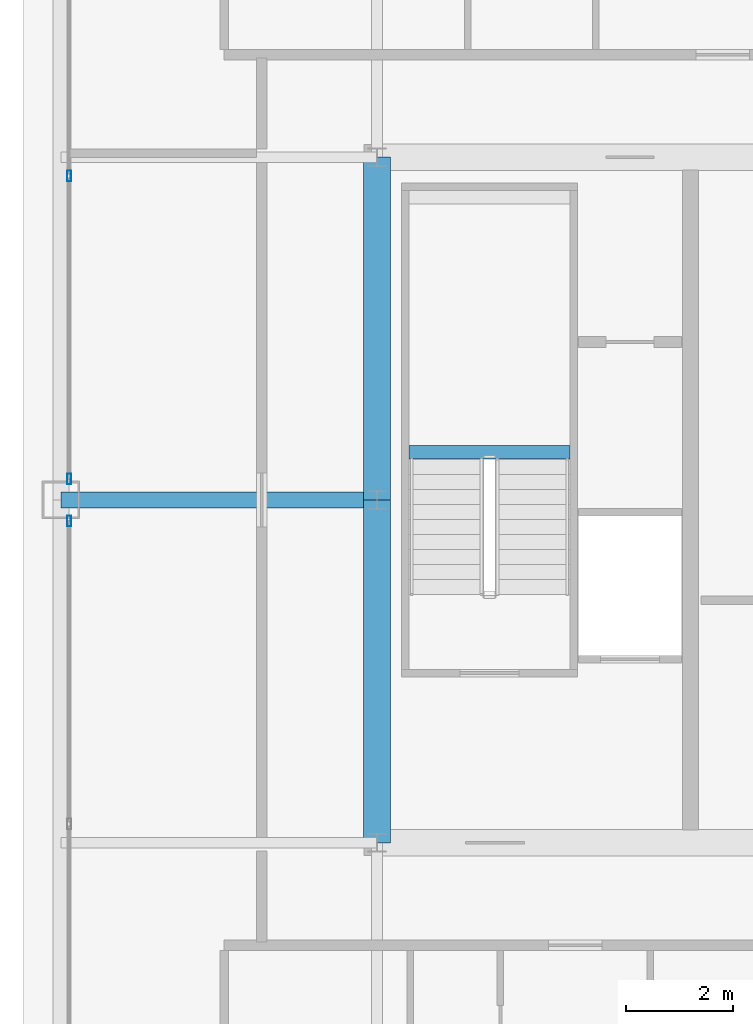
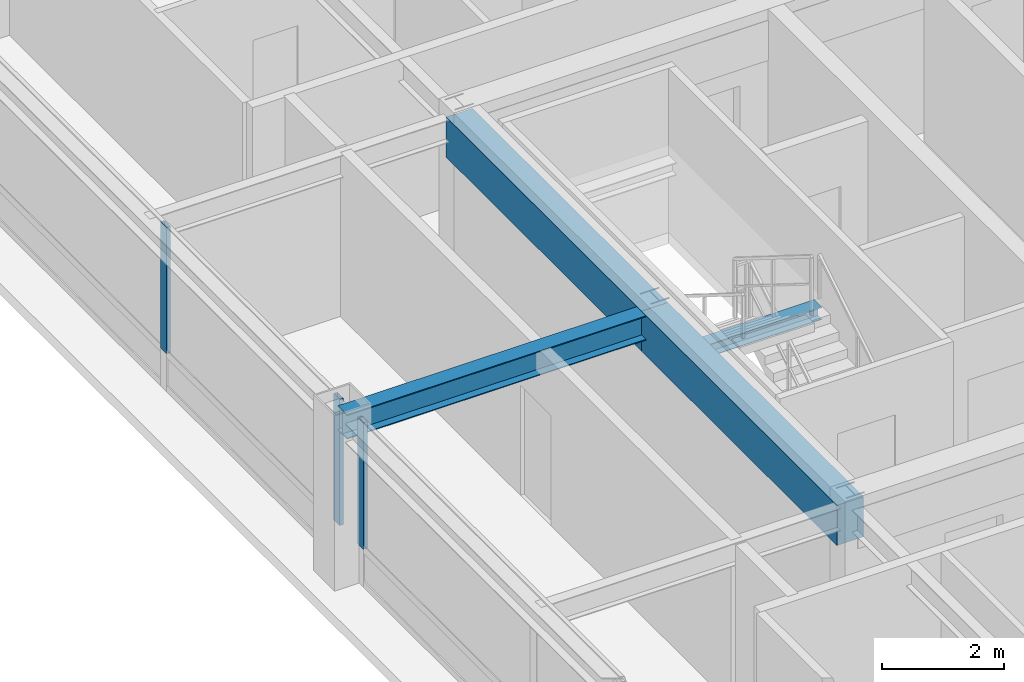
# One storey, part 11 of 35: 4 beams, 3 members, 2 elements without a shape of their own.
"""IFC4 building model written with IfcOpenShell, lengths in metres."""

import ifcopenshell
import ifcopenshell.guid

model = None  # the IFC model being written
_history = None  # IfcOwnerHistory: only IFC2X3 demands one
_inside = {}  # id of a spatial element -> (the spatial element, [elements in it])
_under = {}  # id of a project, library or spatial element -> (it, [spatial elements below it])
_declared = {}  # id of a project -> (the project, [libraries it declares])
_typed = {}  # id of a type object -> (the type object, [elements of that type])
_made_of = {}  # id of a material, layer set ... -> (it, [elements and type objects made of it])


def new_model(schema):
    """Start an empty IFC model of exactly this schema.

    Asked for "IFC4X3", IfcOpenShell would pick the latest addendum, in which some entities
    have other attributes; the version numbers below select the first issue.
    IFC2X3 requires an IfcOwnerHistory on every rooted entity: one is made here for all.
    """
    global model, _history
    if schema == "IFC4X3":
        model = ifcopenshell.file(schema_version=(4, 3, 0, 0))
    else:
        model = ifcopenshell.file(schema=schema)
    _inside.clear()
    _under.clear()
    _declared.clear()
    _typed.clear()
    _made_of.clear()
    _history = None
    if model.schema == "IFC2X3":
        org = make("IfcOrganization", Name="unknown")
        user = make(
            "IfcPersonAndOrganization",
            ThePerson=make("IfcPerson", FamilyName="unknown"),
            TheOrganization=org,
        )
        app = make(
            "IfcApplication",
            ApplicationDeveloper=org,
            Version="unknown",
            ApplicationFullName="unknown",
            ApplicationIdentifier="unknown",
        )
        _history = make(
            "IfcOwnerHistory",
            OwningUser=user,
            OwningApplication=app,
            ChangeAction="ADDED",
            CreationDate=0,
        )
    return model


def make(cls, **values):
    """One entity of the class cls with the attributes given. An attribute that is None is left unset."""
    return model.create_entity(
        cls, **{name: value for name, value in values.items() if value is not None}
    )


def rooted(cls, **values):
    """An entity with a GlobalId (a new one), such as an element, a storey or a relation."""
    return make(cls, GlobalId=ifcopenshell.guid.new(), OwnerHistory=_history, **values)


def si_unit(unit_type, name, prefix=None):
    """IfcSIUnit, for example si_unit("LENGTHUNIT", "METRE", prefix="MILLI")."""
    return make("IfcSIUnit", UnitType=unit_type, Prefix=prefix, Name=name)


def assignment(units):
    """IfcUnitAssignment: the units of a project."""
    return None if units is None else make("IfcUnitAssignment", Units=units)


def point(xyz):
    """IfcCartesianPoint."""
    return None if xyz is None else make("IfcCartesianPoint", Coordinates=xyz)


def direction(xyz):
    """IfcDirection."""
    return None if xyz is None else make("IfcDirection", DirectionRatios=xyz)


def frame(location, z_axis=None, x_axis=None):
    """IfcAxis2Placement3D, a coordinate frame: its origin and axes. An axis left out is left unset."""
    return make(
        "IfcAxis2Placement3D",
        Location=point(location),
        Axis=direction(z_axis),
        RefDirection=direction(x_axis),
    )


def frame_2d(location, x_axis=None):
    """IfcAxis2Placement2D, a coordinate frame in the plane: its origin and x axis."""
    return make(
        "IfcAxis2Placement2D", Location=point(location), RefDirection=direction(x_axis)
    )


def origin():
    """The frame at (0, 0, 0) with its axes left unset."""
    return frame((0.0, 0.0, 0.0))


def origin_2d():
    """The frame at (0, 0) in the plane with its x axis left unset."""
    return frame_2d((0.0, 0.0))


def place(relative_to, where):
    """IfcLocalPlacement: puts the frame where relative to a parent placement (None: the world)."""
    return make(
        "IfcLocalPlacement", PlacementRelTo=relative_to, RelativePlacement=where
    )


def context(
    kind, dimensions, precision=None, world=None, true_north=None, identifier=None
):
    """IfcGeometricRepresentationContext, for example the 3D "Model" context."""
    return make(
        "IfcGeometricRepresentationContext",
        ContextIdentifier=identifier,
        ContextType=kind,
        CoordinateSpaceDimension=dimensions,
        Precision=precision,
        WorldCoordinateSystem=world,
        TrueNorth=true_north,
    )


def subcontext(parent, identifier, kind, view, scale=None):
    """IfcGeometricRepresentationSubContext, for example "Body" below "Model"."""
    return make(
        "IfcGeometricRepresentationSubContext",
        ContextIdentifier=identifier,
        ContextType=kind,
        ParentContext=parent,
        TargetScale=scale,
        TargetView=view,
    )


def project(units=None, contexts=None):
    """IfcProject with its units and contexts."""
    return rooted(
        "IfcProject",
        Name="project",
        RepresentationContexts=contexts,
        UnitsInContext=assignment(units),
    )


def spatial(cls, under=None, at=None, **own):
    """A site, building, storey or space (cls), placed at a placement, below another one or the project."""
    s = rooted(cls, ObjectPlacement=at, **own)
    if under is not None:
        _under.setdefault(under.id(), (under, []))[1].append(s)
    return s


def profile(cls, at=None, kind="AREA", **sizes):
    """A parametric profile (cls). Its sizes go by their IFC names, for example OverallWidth=200.0."""
    return make(cls, ProfileType=kind, Position=at, **sizes)


def rectangle(**sizes):
    """IfcRectangleProfileDef."""
    return profile("IfcRectangleProfileDef", **sizes)


def hollow_rectangle(**sizes):
    """IfcRectangleHollowProfileDef."""
    return profile("IfcRectangleHollowProfileDef", **sizes)


def i_section(**sizes):
    """IfcIShapeProfileDef."""
    return profile("IfcIShapeProfileDef", **sizes)


def extrude(swept, where, along, depth):
    """IfcExtrudedAreaSolid: the profile swept, set in the frame where, extruded along a direction by depth."""
    return make(
        "IfcExtrudedAreaSolid",
        SweptArea=swept,
        Position=where,
        ExtrudedDirection=direction(along),
        Depth=depth,
    )


def shape(context_of_items, identifier, shape_type, items):
    """IfcShapeRepresentation: the items that make up one representation, for example the "Body"."""
    return make(
        "IfcShapeRepresentation",
        ContextOfItems=context_of_items,
        RepresentationIdentifier=identifier,
        RepresentationType=shape_type,
        Items=items,
    )


def source(mapping_origin, context_of_items, identifier, shape_type, items):
    """IfcRepresentationMap: a shape defined once, which mapped items show again and again."""
    return make(
        "IfcRepresentationMap",
        MappingOrigin=mapping_origin,
        MappedRepresentation=shape(context_of_items, identifier, shape_type, items),
    )


def transform(
    local_origin,
    x_axis=None,
    y_axis=None,
    z_axis=None,
    scale=None,
    scale2=None,
    scale3=None,
    uniform=True,
):
    """IfcCartesianTransformationOperator3D, or its non-uniform kind. x_axis, y_axis, z_axis: its Axis1, 2, 3."""
    if uniform:
        return make(
            "IfcCartesianTransformationOperator3D",
            Axis1=direction(x_axis),
            Axis2=direction(y_axis),
            LocalOrigin=point(local_origin),
            Scale=scale,
            Axis3=direction(z_axis),
        )
    return make(
        "IfcCartesianTransformationOperator3DnonUniform",
        Axis1=direction(x_axis),
        Axis2=direction(y_axis),
        LocalOrigin=point(local_origin),
        Scale=scale,
        Axis3=direction(z_axis),
        Scale2=scale2,
        Scale3=scale3,
    )


def mapped(mapping_source, mapping_target):
    """IfcMappedItem: shows the shape of a source again, moved by a transform."""
    return make(
        "IfcMappedItem", MappingSource=mapping_source, MappingTarget=mapping_target
    )


def material(Name=None, Category=None):
    """IfcMaterial."""
    return make("IfcMaterial", Name=Name, Category=Category)


def layer(
    of_material, thickness, ventilated=None, Name=None, Category=None, Priority=None
):
    """IfcMaterialLayer: one layer of a wall or slab, of a material (None: an air gap)."""
    return make(
        "IfcMaterialLayer",
        Material=of_material,
        LayerThickness=thickness,
        IsVentilated=ventilated,
        Name=Name,
        Category=Category,
        Priority=Priority,
    )


def layer_set(layers, Name=None):
    """IfcMaterialLayerSet."""
    return make("IfcMaterialLayerSet", MaterialLayers=layers, LayerSetName=Name)


def material_profile(
    of_material, cross_section, Name=None, Category=None, Priority=None
):
    """IfcMaterialProfile: a cross section and its material."""
    return make(
        "IfcMaterialProfile",
        Name=Name,
        Material=of_material,
        Profile=cross_section,
        Priority=Priority,
        Category=Category,
    )


def profile_set(profiles, Name=None, composite=None):
    """IfcMaterialProfileSet."""
    return make(
        "IfcMaterialProfileSet",
        Name=Name,
        MaterialProfiles=profiles,
        CompositeProfile=composite,
    )


def made_of(thing, what):
    """Note that an element or type object is made of a material, layer set ...; save() writes the relation."""
    if what is not None:
        _made_of.setdefault(what.id(), (what, []))[1].append(thing)
    return thing


def type_object(cls, material=None, **own):
    """A type object (cls), such as IfcWallType, which elements share."""
    return made_of(rooted(cls, **own), material)


def element(
    cls,
    number,
    at=None,
    inside=None,
    cuts=None,
    type_object=None,
    material=None,
    context=None,
    identifier="Body",
    shape_type=None,
    held_by="IfcProductDefinitionShape",
    body=None,
    shapes=None,
    **own,
):
    """One element of the class cls, such as IfcWall. Its Tag is "e" and its number.

    at: its placement. inside: the storey or other place that contains it. cuts: it is an
    opening in that element (IfcRelVoidsElement). A single representation is given by context,
    identifier, shape_type and body (its items); several are given by shapes. held_by: the class
    of the entity that holds the representations. save() writes the other relations.
    """
    e = rooted(cls, Tag="e%d" % number, ObjectPlacement=at, **own)
    if body is not None:
        shapes = [shape(context, identifier, shape_type, body)]
    if shapes is not None:
        e.Representation = make(held_by, Representations=shapes)
    if inside is not None:
        _inside.setdefault(inside.id(), (inside, []))[1].append(e)
    if cuts is not None:
        rooted(
            "IfcRelVoidsElement", RelatingBuildingElement=cuts, RelatedOpeningElement=e
        )
    if type_object is not None:
        _typed.setdefault(type_object.id(), (type_object, []))[1].append(e)
    return made_of(e, material)


def aggregate(whole, parts):
    """IfcRelAggregates: a whole, such as a stair, and the parts it consists of."""
    return rooted("IfcRelAggregates", RelatingObject=whole, RelatedObjects=parts)


def save(model, path):
    """Write the relations noted so far, then the file.

    IfcRelAggregates (storeys below a building ...), IfcRelContainedInSpatialStructure (elements
    in a storey), IfcRelDefinesByType, IfcRelAssociatesMaterial and IfcRelDeclares: one each for
    every whole, place, type object, material and project.
    """
    for whole, parts in _under.values():
        aggregate(whole, parts)
    for where, things in _inside.values():
        rooted(
            "IfcRelContainedInSpatialStructure",
            RelatedElements=things,
            RelatingStructure=where,
        )
    for kind, things in _typed.values():
        rooted("IfcRelDefinesByType", RelatedObjects=things, RelatingType=kind)
    for what, things in _made_of.values():
        rooted("IfcRelAssociatesMaterial", RelatedObjects=things, RelatingMaterial=what)
    for by, libraries in _declared.values():
        rooted("IfcRelDeclares", RelatingContext=by, RelatedDefinitions=libraries)
    model.write(path)


model = new_model("IFC4")

# Units and contexts
model_context = context("Model", 3, precision=1e-05, world=origin(), true_north=direction((0.0, 1.0)))
body_context = subcontext(model_context, "Body", "Model", "MODEL_VIEW")
ifc_project = project(units=[si_unit("LENGTHUNIT", "METRE"), si_unit("AREAUNIT", "SQUARE_METRE"), si_unit("VOLUMEUNIT", "CUBIC_METRE"), si_unit("PLANEANGLEUNIT", "RADIAN"), si_unit("MASSUNIT", "GRAM", prefix="KILO"), si_unit("THERMODYNAMICTEMPERATUREUNIT", "KELVIN"), si_unit("POWERUNIT", "WATT")], contexts=[model_context])

# Site, building, storey
site_placement = place(None, origin())
site = spatial("IfcSite", under=ifc_project, at=site_placement, CompositionType="ELEMENT")
building_placement = place(site_placement, origin())
building = spatial("IfcBuilding", under=site, at=building_placement, Name="Yuzanri Waterfront Tower", CompositionType="ELEMENT")
storey_placement = place(building_placement, frame((0.0, 0.0, 332.199951171875)))
storey = spatial("IfcBuildingStorey", under=building, at=storey_placement, Name="L89", CompositionType="ELEMENT", Elevation=332.199951171875)

# Beams
ifc_material_1 = material(Name="Concrete C50", Category="concrete")
ifc_material_profile_1 = material_profile(ifc_material_1, rectangle(XDim=0.5, YDim=0.800048828125, at=origin_2d()), Name="RC 500x800")
ifc_profile_set_1 = profile_set([ifc_material_profile_1], Name="Concrete C50")
beam_type_1 = type_object("IfcBeamType", Name="Core Coupling Lintel Concrete C50 500x800", PredefinedType="LINTEL", material=ifc_profile_set_1)
shared_shape_1 = source(origin(), body_context, "Body", "SweptSolid", [
    extrude(rectangle(XDim=0.5, YDim=0.800048828125, at=origin_2d()), origin(), (0.0, 0.0, 1.0), 6.400146484375),
])
beam_1_placement = place(storey_placement, frame((23.800048828125, 19.39990234375, 2.880126953125), z_axis=(0.0, 1.0, 0.0), x_axis=(-1.0, 0.0, 0.0)))
element("IfcBeam", 1, at=beam_1_placement, inside=storey, type_object=beam_type_1, Name="L89 Core Tie Beam CW1", PredefinedType="LINTEL", context=body_context, shape_type="MappedRepresentation", body=[
    mapped(shared_shape_1, transform((0.0, 0.0, 0.0), scale=1.0)),
])
shared_shape_2 = source(origin(), body_context, "Body", "SweptSolid", [
    extrude(rectangle(XDim=0.5, YDim=0.800048828125, at=origin_2d()), origin(), (0.0, 0.0, 1.0), 6.39990234375),
])
beam_2_placement = place(storey_placement, frame((23.800048828125, 25.800048828125, 2.880126953125), z_axis=(0.0, 1.0, 0.0), x_axis=(-1.0, 0.0, 0.0)))
element("IfcBeam", 2, at=beam_2_placement, inside=storey, type_object=beam_type_1, Name="L89 Core Tie Beam CW2", PredefinedType="LINTEL", context=body_context, shape_type="MappedRepresentation", body=[
    mapped(shared_shape_2, transform((0.0, 0.0, 0.0), scale=1.0)),
])
ifc_material_2 = material(Name="Steel Q355B", Category="steel")
ifc_material_profile_2 = material_profile(ifc_material_2, i_section(OverallWidth=0.300048828125, OverallDepth=0.488037109375, WebThickness=0.010986328125, FlangeThickness=0.01806640625, at=origin_2d()), Name="HM 488x300x11x18")
ifc_profile_set_2 = profile_set([ifc_material_profile_2], Name="Steel Q355B")
beam_type_2 = type_object("IfcBeamType", Name="Primary Floor Girder Q355B HM 488x300", PredefinedType="BEAM", material=ifc_profile_set_2)
shared_shape_3 = source(origin(), body_context, "Body", "SweptSolid", [
    extrude(i_section(OverallWidth=0.300048828125, OverallDepth=0.488037109375, WebThickness=0.010986328125, FlangeThickness=0.01806640625, at=origin_2d()), origin(), (0.0, 0.0, 1.0), 5.900146484375),
])
beam_3_placement = place(storey_placement, frame((23.800048828125, 25.800048828125, 3.0361328125), z_axis=(-1.0, 0.0, 0.0), x_axis=(0.0, -1.0, 0.0)))
element("IfcBeam", 3, at=beam_3_placement, inside=storey, type_object=beam_type_2, Name="L89 West Grid Girder", PredefinedType="BEAM", context=body_context, shape_type="MappedRepresentation", body=[
    mapped(shared_shape_3, transform((0.0, 0.0, 0.0), scale=1.0)),
])

# Curtain wall, member
ifc_material_3 = material(Name="Anodized Architectural Bronze", Category="metal")
ifc_layer = layer(ifc_material_3, 0.159912109375)
ifc_layer_set = layer_set([ifc_layer], Name="Anodized Architectural Bronze")
curtain_wall_type = type_object("IfcCurtainWallType", Name="Anodized Bronze High-Rise Penthouse High-Wind Unitized Curtain Wall 6900", PredefinedType="NOTDEFINED", material=ifc_layer_set)
curtain_wall_1_placement = place(storey_placement, origin())
curtain_wall_1 = element("IfcCurtainWall", 4, at=curtain_wall_1_placement, inside=storey, type_object=curtain_wall_type, Name="L89 Curtain Wall CW-L89-WL", PredefinedType="NOTDEFINED")
ifc_material_4 = material(Name="Anodized Architectural Bronze", Category="metal")
ifc_material_profile_3 = material_profile(ifc_material_4, hollow_rectangle(XDim=0.074951171875, YDim=0.199951171875, WallThickness=0.00390625, at=origin_2d()), Name="CWM 75x200")
ifc_profile_set_3 = profile_set([ifc_material_profile_3], Name="Anodized Architectural Bronze")
member_type = type_object("IfcMemberType", Name="Anodized Bronze Primary Curtain-Wall Mullion 75x200", PredefinedType="MULLION", material=ifc_profile_set_3)
shared_shape_4 = source(origin(), body_context, "Body", "SweptSolid", [
    extrude(hollow_rectangle(XDim=0.074951171875, YDim=0.199951171875, WallThickness=0.00390625, at=origin_2d()), origin(), (0.0, 0.0, 1.0), 2.52392578125),
])
member_1_placement = place(storey_placement, frame((18.050048828125, 25.409912109375, 0.756103515625), z_axis=(0.0, 0.0, 1.0), x_axis=(1.0, 0.0, 0.0)))
member_1 = element("IfcMember", 5, at=member_1_placement, type_object=member_type, Name="CW-L89-WL Upper Mullion 02", PredefinedType="MULLION", context=body_context, shape_type="MappedRepresentation", body=[
    mapped(shared_shape_4, transform((0.0, 0.0, 0.0), scale=1.0)),
])
aggregate(curtain_wall_1, [member_1])

# Curtain wall, members
curtain_wall_2_placement = place(storey_placement, origin())
curtain_wall_2 = element("IfcCurtainWall", 6, at=curtain_wall_2_placement, inside=storey, type_object=curtain_wall_type, Name="L89 Curtain Wall CW-L89-WR", PredefinedType="NOTDEFINED")
member_2_placement = place(storey_placement, frame((18.050048828125, 26.18994140625, 0.756103515625), z_axis=(0.0, 0.0, 1.0), x_axis=(1.0, 0.0, 0.0)))
member_2 = element("IfcMember", 7, at=member_2_placement, type_object=member_type, Name="CW-L89-WR Upper Mullion 00", PredefinedType="MULLION", context=body_context, shape_type="MappedRepresentation", body=[
    mapped(shared_shape_4, transform((0.0, 0.0, 0.0), scale=1.0)),
])
member_3_placement = place(storey_placement, frame((18.050048828125, 31.85009765625, 0.756103515625), z_axis=(0.0, 0.0, 1.0), x_axis=(1.0, 0.0, 0.0)))
member_3 = element("IfcMember", 8, at=member_3_placement, type_object=member_type, Name="CW-L89-WR Upper Mullion 01", PredefinedType="MULLION", context=body_context, shape_type="MappedRepresentation", body=[
    mapped(shared_shape_4, transform((0.0, 0.0, 0.0), scale=1.0)),
])
aggregate(curtain_wall_2, [member_2, member_3])

# Beam
ifc_material_5 = material(Name="Steel Q355B", Category="steel")
ifc_material_profile_4 = material_profile(ifc_material_5, i_section(OverallWidth=0.25, OverallDepth=0.25, WebThickness=0.009033203125, FlangeThickness=0.013916015625, at=origin_2d()), Name="HW 250x250x9x14")
ifc_profile_set_4 = profile_set([ifc_material_profile_4], Name="Steel Q355B")
beam_type_3 = type_object("IfcBeamType", Name="Stair Landing Support Beam Q355B HW 250x250", PredefinedType="BEAM", material=ifc_profile_set_4)
shared_shape_5 = source(origin(), body_context, "Body", "SweptSolid", [
    extrude(i_section(OverallWidth=0.25, OverallDepth=0.25, WebThickness=0.009033203125, FlangeThickness=0.013916015625, at=origin_2d()), origin(), (0.0, 0.0, 1.0), 3.0),
])
beam_4_placement = place(storey_placement, frame((24.39990234375, 26.68994140625, 1.425048828125), z_axis=(1.0, 0.0, 0.0), x_axis=(0.0, 1.0, 0.0)))
element("IfcBeam", 9, at=beam_4_placement, inside=storey, type_object=beam_type_3, Name="L89 Stair Landing Support Beam ST-01-L89-L1-1", PredefinedType="BEAM", context=body_context, shape_type="MappedRepresentation", body=[
    mapped(shared_shape_5, transform((0.0, 0.0, 0.0), scale=1.0)),
])

save(model, "model.ifc")
